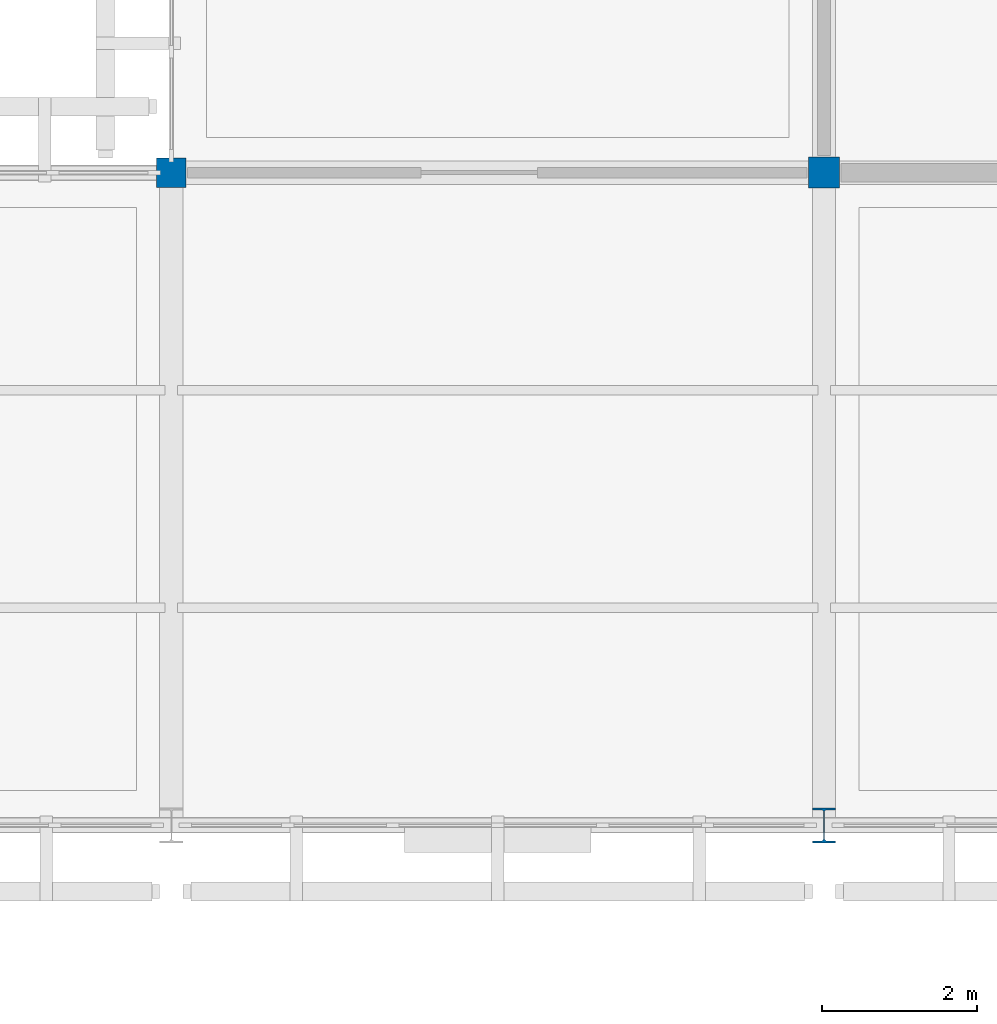
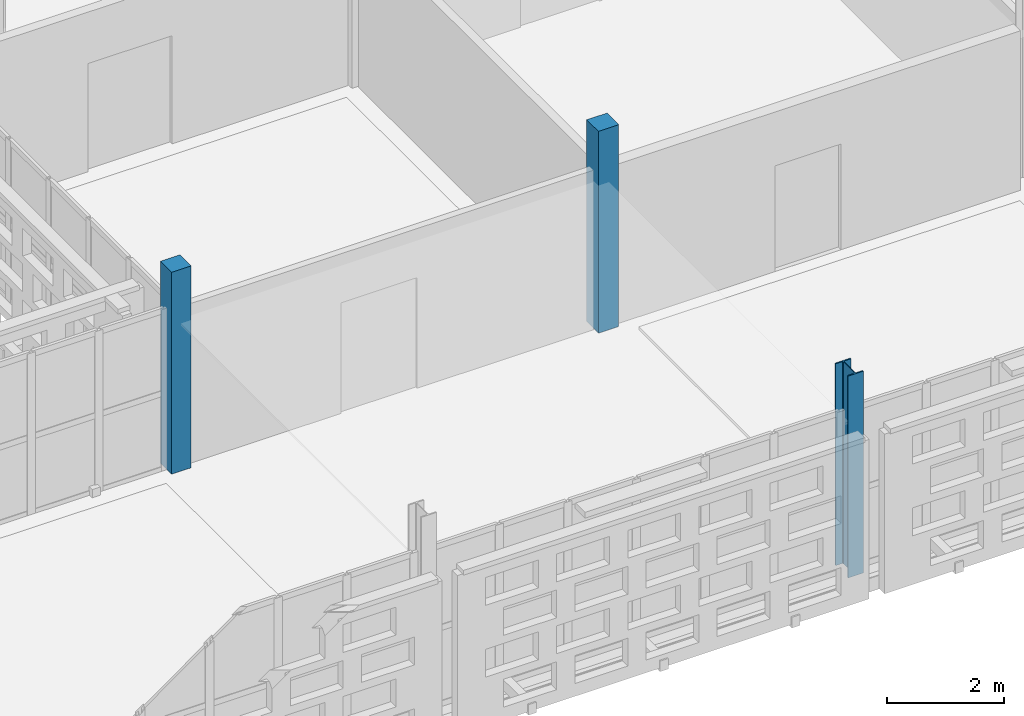
# One storey, part 8 of 166: 3 columns.
"""IFC4 building model written with IfcOpenShell, lengths in metres."""

from ifc_helpers import new_model, si_unit, direction, frame, origin, origin_2d, place, context, subcontext, project, spatial, rectangle, i_section, extrude, material, material_profile, profile_set, type_object, element, save


model = new_model("IFC4")

# Units and contexts
model_context = context("Model", 3, precision=1e-05, world=origin(), true_north=direction((0.0, 1.0)))
body_context = subcontext(model_context, "Body", "Model", "MODEL_VIEW")
ifc_project = project(units=[si_unit("LENGTHUNIT", "METRE"), si_unit("AREAUNIT", "SQUARE_METRE"), si_unit("VOLUMEUNIT", "CUBIC_METRE"), si_unit("PLANEANGLEUNIT", "RADIAN"), si_unit("MASSUNIT", "GRAM", prefix="KILO")], contexts=[model_context])

# Site, building, storey
site_placement = place(None, origin())
site = spatial("IfcSite", under=ifc_project, at=site_placement, CompositionType="ELEMENT")
building_placement = place(site_placement, origin())
building = spatial("IfcBuilding", under=site, at=building_placement, Name="Varnapada Polytechnic", CompositionType="ELEMENT")
storey_placement = place(building_placement, frame((0.0, 0.0, 9.60009765625)))
storey = spatial("IfcBuildingStorey", under=building, at=storey_placement, Name="L02", CompositionType="ELEMENT", Elevation=9.60009765625)

# Columns
ifc_material_1 = material(Name="Steel S355", Category="steel")
ifc_material_profile_1 = material_profile(ifc_material_1, i_section(OverallWidth=0.300048828125, OverallDepth=0.449951171875, WebThickness=0.013916015625, FlangeThickness=0.02587890625, FilletRadius=0.027099609375, at=origin_2d()), Name="HEB 450")
ifc_profile_set_1 = profile_set([ifc_material_profile_1], Name="Steel S355")
column_type_1 = type_object("IfcColumnType", Name="Column C-07 (HEB 450)", PredefinedType="COLUMN", material=ifc_profile_set_1)
column_1_placement = place(storey_placement, frame((126.0, 84.0, 0.0), z_axis=(0.0, 0.0, 1.0), x_axis=(1.0, 0.0, 0.0)))
element("IfcColumn", 1, at=column_1_placement, inside=storey, type_object=column_type_1, Name="L02 column 16/11", PredefinedType="COLUMN", context=body_context, shape_type="SweptSolid", body=[
    extrude(i_section(OverallWidth=0.300048828125, OverallDepth=0.449951171875, WebThickness=0.013916015625, FlangeThickness=0.02587890625, FilletRadius=0.027099609375, at=origin_2d()), origin(), (0.0, 0.0, 1.0), 4.199951171875),
])
ifc_material_2 = material(Name="Glulam GL32h", Category="wood")
ifc_material_profile_2 = material_profile(ifc_material_2, rectangle(XDim=0.39990234375, YDim=0.39990234375, at=origin_2d()), Name="GL 400x400")
ifc_profile_set_2 = profile_set([ifc_material_profile_2], Name="Glulam GL32h")
column_type_2 = type_object("IfcColumnType", Name="Column C-13 (GL 400x400)", PredefinedType="COLUMN", material=ifc_profile_set_2)
column_2_placement = place(storey_placement, frame((126.0, 92.39990234375, 0.0), z_axis=(0.0, 0.0, 1.0), x_axis=(1.0, 0.0, 0.0)))
element("IfcColumn", 2, at=column_2_placement, inside=storey, type_object=column_type_2, Name="L02 column 16/12", PredefinedType="COLUMN", context=body_context, shape_type="SweptSolid", body=[
    extrude(rectangle(XDim=0.39990234375, YDim=0.39990234375, at=origin_2d()), origin(), (0.0, 0.0, 1.0), 4.199951171875),
])
ifc_material_profile_3 = material_profile(ifc_material_2, rectangle(XDim=0.3798828125, YDim=0.3798828125, at=origin_2d()), Name="GL 380x380")
ifc_profile_set_3 = profile_set([ifc_material_profile_3], Name="Glulam GL32h")
column_type_3 = type_object("IfcColumnType", Name="Column C-24 (GL 380x380)", PredefinedType="COLUMN", material=ifc_profile_set_3)
column_3_placement = place(storey_placement, frame((117.60009765625, 92.39990234375, 0.0), z_axis=(0.0, 0.0, 1.0), x_axis=(1.0, 0.0, 0.0)))
element("IfcColumn", 3, at=column_3_placement, inside=storey, type_object=column_type_3, Name="L02 column 15/12", PredefinedType="COLUMN", context=body_context, shape_type="SweptSolid", body=[
    extrude(rectangle(XDim=0.3798828125, YDim=0.3798828125, at=origin_2d()), origin(), (0.0, 0.0, 1.0), 4.199951171875),
])

save(model, "model.ifc")
